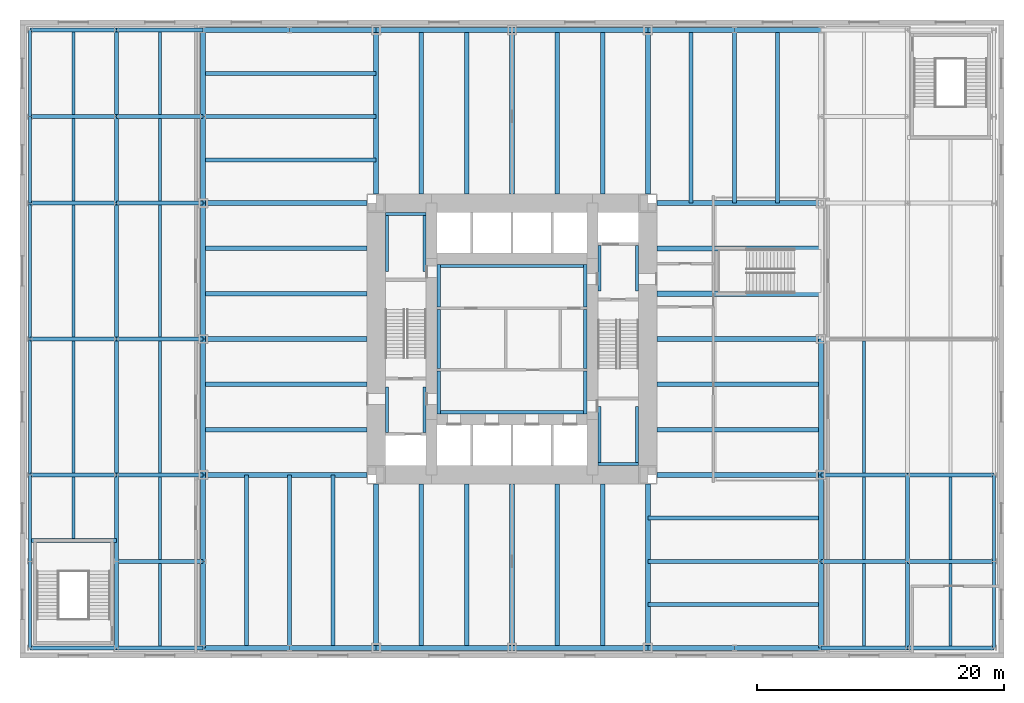
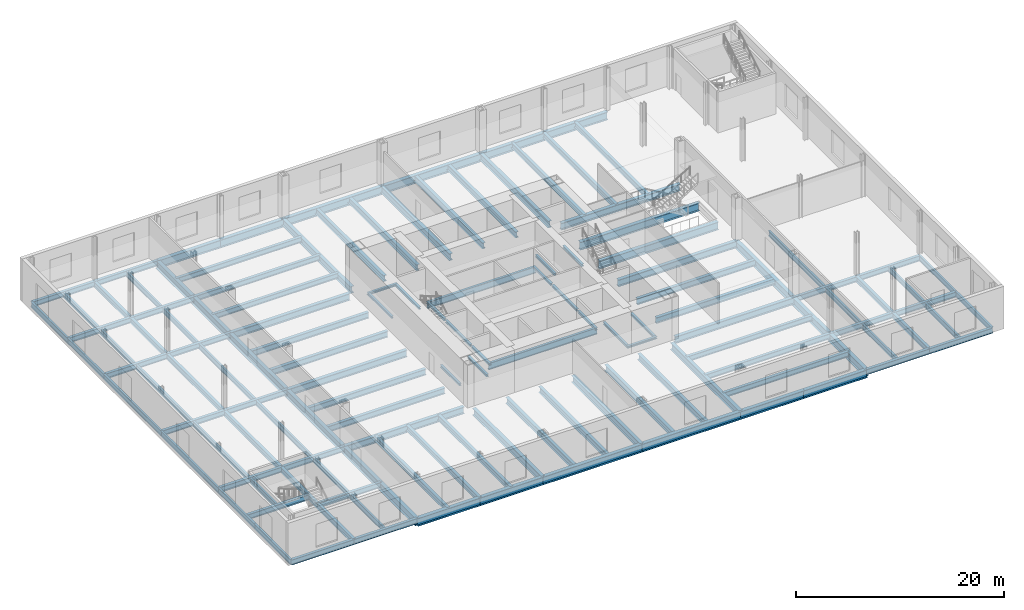
# One storey, part 5 of 13: 131 beams.
"""IFC4 building model written with IfcOpenShell, lengths in metres."""

from ifc_helpers import new_model, si_unit, direction, frame, origin, origin_2d, place, context, subcontext, project, spatial, i_section, extrude, material, material_profile, profile_set, type_object, element, save


model = new_model("IFC4")

# Units and contexts
model_context = context("Model", 3, precision=1e-05, world=origin(), true_north=direction((0.0, 1.0)))
body_context = subcontext(model_context, "Body", "Model", "MODEL_VIEW")
ifc_project = project(units=[si_unit("LENGTHUNIT", "METRE"), si_unit("AREAUNIT", "SQUARE_METRE"), si_unit("VOLUMEUNIT", "CUBIC_METRE"), si_unit("PLANEANGLEUNIT", "RADIAN"), si_unit("MASSUNIT", "GRAM", prefix="KILO")], contexts=[model_context])

# Site, building, storey
site_placement = place(None, origin())
site = spatial("IfcSite", under=ifc_project, at=site_placement, CompositionType="ELEMENT")
building_placement = place(site_placement, origin())
building = spatial("IfcBuilding", under=site, at=building_placement, Name="Trevanion Tower", CompositionType="ELEMENT")
storey_placement = place(building_placement, frame((0.0, 0.0, 6.0)))
storey = spatial("IfcBuildingStorey", under=building, at=storey_placement, Name="L01", CompositionType="ELEMENT", Elevation=6.0)

# Beams
ifc_material_1 = material(Name="Steel ASTM A992 Grade 50", Category="steel")
ifc_material_profile_1 = material_profile(ifc_material_1, i_section(OverallWidth=0.355712890625, OverallDepth=0.700927734375, WebThickness=0.016845703125, FlangeThickness=0.02734375, at=origin_2d()), Name="W27X161")
ifc_profile_set_1 = profile_set([ifc_material_profile_1], Name="Steel ASTM A992 Grade 50")
beam_type_1 = type_object("IfcBeamType", Name="B1 W27X161", PredefinedType="BEAM", material=ifc_profile_set_1)
for number, where, z_axis, x_axis, name in (
    (1, (11.75, -7.333251953125, -0.54052734375), (1.0, 0.0, 0.0), (0.0, 1.0, 0.0), "B1 L01"),
    (2, (11.75, -3.666748046875, -0.54052734375), (1.0, 0.0, 0.0), (0.0, 1.0, 0.0), "B1 L01"),
    (3, (7.333251953125, 11.75, -0.54052734375), (0.0, 1.0, 0.0), (-1.0, 0.0, 0.0), "B1 L01"),
    (4, (3.666748046875, 11.75, -0.54052734375), (0.0, 1.0, 0.0), (-1.0, 0.0, 0.0), "B1 L01"),
    (5, (-3.666748046875, 11.75, -0.54052734375), (0.0, 1.0, 0.0), (-1.0, 0.0, 0.0), "B1 L01"),
    (6, (-7.333251953125, 11.75, -0.54052734375), (0.0, 1.0, 0.0), (-1.0, 0.0, 0.0), "B1 L01"),
    (7, (-11.75, 7.333251953125, -0.54052734375), (-1.0, 0.0, 0.0), (0.0, -1.0, 0.0), "B1 L01"),
    (8, (-11.75, 3.666748046875, -0.54052734375), (-1.0, 0.0, 0.0), (0.0, -1.0, 0.0), "B1 L01"),
    (9, (-11.75, -3.666748046875, -0.54052734375), (-1.0, 0.0, 0.0), (0.0, -1.0, 0.0), "B1 L01"),
    (10, (-11.75, -7.333251953125, -0.54052734375), (-1.0, 0.0, 0.0), (0.0, -1.0, 0.0), "B1 L01"),
    (11, (-7.333251953125, -11.75, -0.54052734375), (0.0, -1.0, 0.0), (1.0, 0.0, 0.0), "B1 L01"),
    (12, (-3.666748046875, -11.75, -0.54052734375), (0.0, -1.0, 0.0), (1.0, 0.0, 0.0), "B1 L01"),
    (13, (3.666748046875, -11.75, -0.54052734375), (0.0, -1.0, 0.0), (1.0, 0.0, 0.0), "B1 L01"),
    (14, (7.333251953125, -11.75, -0.54052734375), (0.0, -1.0, 0.0), (1.0, 0.0, 0.0), "B1 L01"),
):
    element("IfcBeam", number, at=place(storey_placement, frame(where, z_axis=z_axis, x_axis=x_axis)), inside=storey, type_object=beam_type_1, Name=name, PredefinedType="BEAM", context=body_context, shape_type="SweptSolid", body=[
        extrude(i_section(OverallWidth=0.355712890625, OverallDepth=0.700927734375, WebThickness=0.016845703125, FlangeThickness=0.02734375, at=origin_2d()), origin(), (0.0, 0.0, 1.0), 13.25),
    ])
ifc_material_2 = material(Name="Steel ASTM A992 Grade 50", Category="steel")
ifc_material_profile_2 = material_profile(ifc_material_2, i_section(OverallWidth=0.419189453125, OverallDepth=0.927001953125, WebThickness=0.019287109375, FlangeThickness=0.031982421875, at=origin_2d()), Name="W36X231")
ifc_profile_set_2 = profile_set([ifc_material_profile_2], Name="Steel ASTM A992 Grade 50")
beam_type_2 = type_object("IfcBeamType", Name="B17 W36X231", PredefinedType="BEAM", material=ifc_profile_set_2)
for number, where, z_axis, x_axis, name in (
    (15, (11.75, 3.666748046875, -0.653564453125), (1.0, 0.0, 0.0), (0.0, 1.0, 0.0), "B17 L01"),
    (16, (11.75, 7.333251953125, -0.653564453125), (1.0, 0.0, 0.0), (0.0, 1.0, 0.0), "B17 L01"),
):
    element("IfcBeam", number, at=place(storey_placement, frame(where, z_axis=z_axis, x_axis=x_axis)), inside=storey, type_object=beam_type_2, Name=name, PredefinedType="BEAM", context=body_context, shape_type="SweptSolid", body=[
        extrude(i_section(OverallWidth=0.419189453125, OverallDepth=0.927001953125, WebThickness=0.019287109375, FlangeThickness=0.031982421875, at=origin_2d()), origin(), (0.0, 0.0, 1.0), 13.25),
    ])
ifc_material_3 = material(Name="Steel ASTM A992 Grade 50", Category="steel")
ifc_material_profile_3 = material_profile(ifc_material_3, i_section(OverallWidth=0.32763671875, OverallDepth=0.62744140625, WebThickness=0.0166015625, FlangeThickness=0.027587890625, at=origin_2d()), Name="W24X146")
ifc_profile_set_3 = profile_set([ifc_material_profile_3], Name="Steel ASTM A992 Grade 50")
beam_type_3 = type_object("IfcBeamType", Name="B2 W24X146", PredefinedType="BEAM", material=ifc_profile_set_3)
for number, where, z_axis, x_axis, name in (
    (17, (14.5, 11.0, -0.503662109375), (0.0, 1.0, 0.0), (-1.0, 0.0, 0.0), "B2 L01"),
    (18, (18.0, 11.0, -0.503662109375), (0.0, 1.0, 0.0), (-1.0, 0.0, 0.0), "B2 L01"),
    (19, (21.5, 11.0, -0.503662109375), (0.0, 1.0, 0.0), (-1.0, 0.0, 0.0), "B2 L01"),
    (20, (-11.0, 14.5, -0.503662109375), (-1.0, 0.0, 0.0), (0.0, -1.0, 0.0), "B2 L01"),
    (21, (-11.0, 18.0, -0.503662109375), (-1.0, 0.0, 0.0), (0.0, -1.0, 0.0), "B2 L01"),
    (22, (-11.0, 21.5, -0.503662109375), (-1.0, 0.0, 0.0), (0.0, -1.0, 0.0), "B2 L01"),
    (23, (-14.5, -11.0, -0.503662109375), (0.0, -1.0, 0.0), (1.0, 0.0, 0.0), "B2 L01"),
    (24, (-18.0, -11.0, -0.503662109375), (0.0, -1.0, 0.0), (1.0, 0.0, 0.0), "B2 L01"),
    (25, (-21.5, -11.0, -0.503662109375), (0.0, -1.0, 0.0), (1.0, 0.0, 0.0), "B2 L01"),
    (26, (11.0, -14.5, -0.503662109375), (1.0, 0.0, 0.0), (0.0, 1.0, 0.0), "B2 L01"),
    (27, (11.0, -18.0, -0.503662109375), (1.0, 0.0, 0.0), (0.0, 1.0, 0.0), "B2 L01"),
    (28, (11.0, -21.5, -0.503662109375), (1.0, 0.0, 0.0), (0.0, 1.0, 0.0), "B2 L01"),
):
    element("IfcBeam", number, at=place(storey_placement, frame(where, z_axis=z_axis, x_axis=x_axis)), inside=storey, type_object=beam_type_3, Name=name, PredefinedType="BEAM", context=body_context, shape_type="SweptSolid", body=[
        extrude(i_section(OverallWidth=0.32763671875, OverallDepth=0.62744140625, WebThickness=0.0166015625, FlangeThickness=0.027587890625, at=origin_2d()), origin(), (0.0, 0.0, 1.0), 14.0),
    ])
ifc_material_4 = material(Name="Steel ASTM A992 Grade 50", Category="steel")
ifc_material_profile_4 = material_profile(ifc_material_4, i_section(OverallWidth=0.385986328125, OverallDepth=0.802734375, WebThickness=0.023681640625, FlangeThickness=0.0419921875, at=origin_2d()), Name="W30X261")
ifc_profile_set_4 = profile_set([ifc_material_profile_4], Name="Steel ASTM A992 Grade 50")
beam_type_4 = type_object("IfcBeamType", Name="G1 W30X261", PredefinedType="BEAM", material=ifc_profile_set_4)
for number, where, z_axis, x_axis, name in (
    (29, (11.75, -11.0, -0.59130859375), (1.0, 0.0, 0.0), (0.0, 1.0, 0.0), "G1 L01"),
    (30, (11.75, 0.0, -0.59130859375), (1.0, 0.0, 0.0), (0.0, 1.0, 0.0), "G1 L01"),
    (31, (11.75, 11.0, -0.59130859375), (1.0, 0.0, 0.0), (0.0, 1.0, 0.0), "G1 L01"),
    (32, (11.0, 11.75, -0.59130859375), (0.0, 1.0, 0.0), (-1.0, 0.0, 0.0), "G1 L01"),
    (33, (0.0, 11.75, -0.59130859375), (0.0, 1.0, 0.0), (-1.0, 0.0, 0.0), "G1 L01"),
    (34, (-11.0, 11.75, -0.59130859375), (0.0, 1.0, 0.0), (-1.0, 0.0, 0.0), "G1 L01"),
    (35, (-11.75, 11.0, -0.59130859375), (-1.0, 0.0, 0.0), (0.0, -1.0, 0.0), "G1 L01"),
    (36, (-11.75, 0.0, -0.59130859375), (-1.0, 0.0, 0.0), (0.0, -1.0, 0.0), "G1 L01"),
    (37, (-11.75, -11.0, -0.59130859375), (-1.0, 0.0, 0.0), (0.0, -1.0, 0.0), "G1 L01"),
    (38, (-11.0, -11.75, -0.59130859375), (0.0, -1.0, 0.0), (1.0, 0.0, 0.0), "G1 L01"),
    (39, (0.0, -11.75, -0.59130859375), (0.0, -1.0, 0.0), (1.0, 0.0, 0.0), "G1 L01"),
    (40, (11.0, -11.75, -0.59130859375), (0.0, -1.0, 0.0), (1.0, 0.0, 0.0), "G1 L01"),
):
    element("IfcBeam", number, at=place(storey_placement, frame(where, z_axis=z_axis, x_axis=x_axis)), inside=storey, type_object=beam_type_4, Name=name, PredefinedType="BEAM", context=body_context, shape_type="SweptSolid", body=[
        extrude(i_section(OverallWidth=0.385986328125, OverallDepth=0.802734375, WebThickness=0.023681640625, FlangeThickness=0.0419921875, at=origin_2d()), origin(), (0.0, 0.0, 1.0), 13.25),
    ])
ifc_material_5 = material(Name="Steel ASTM A992 Grade 50", Category="steel")
ifc_material_profile_5 = material_profile(ifc_material_5, i_section(OverallWidth=0.256591796875, OverallDepth=0.26416015625, WebThickness=0.011962890625, FlangeThickness=0.01953125, at=origin_2d()), Name="W10X68")
ifc_profile_set_5 = profile_set([ifc_material_profile_5], Name="Steel ASTM A992 Grade 50")
beam_type_5 = type_object("IfcBeamType", Name="LB1 W10X68", PredefinedType="BEAM", material=ifc_profile_set_5)
for number, where, z_axis, x_axis, name in (
    (41, (-5.921630859375, 2.60009765625, -0.33203125), (0.0, 1.0, 0.0), (-1.0, 0.0, 0.0), "LB1 L01"),
    (42, (5.921630859375, 2.60009765625, -0.33203125), (0.0, 1.0, 0.0), (-1.0, 0.0, 0.0), "LB1 L01"),
    (43, (-5.921630859375, -6.050048828125, -0.33203125), (0.0, 1.0, 0.0), (-1.0, 0.0, 0.0), "LB1 L01"),
    (44, (5.921630859375, -6.050048828125, -0.33203125), (0.0, 1.0, 0.0), (-1.0, 0.0, 0.0), "LB1 L01"),
):
    element("IfcBeam", number, at=place(storey_placement, frame(where, z_axis=z_axis, x_axis=x_axis)), inside=storey, type_object=beam_type_5, Name=name, PredefinedType="BEAM", context=body_context, shape_type="SweptSolid", body=[
        extrude(i_section(OverallWidth=0.256591796875, OverallDepth=0.26416015625, WebThickness=0.011962890625, FlangeThickness=0.01953125, at=origin_2d()), origin(), (0.0, 0.0, 1.0), 3.449951171875),
    ])
for number, where, z_axis, x_axis, name in (
    (45, (7.078369140625, 3.875, -0.33203125), (0.0, 1.0, 0.0), (-1.0, 0.0, 0.0), "LB1 L01"),
    (46, (10.12158203125, 3.875, -0.33203125), (0.0, 1.0, 0.0), (-1.0, 0.0, 0.0), "LB1 L01"),
    (47, (-10.12158203125, -7.574951171875, -0.33203125), (0.0, 1.0, 0.0), (-1.0, 0.0, 0.0), "LB1 L01"),
    (48, (-7.078369140625, -7.574951171875, -0.33203125), (0.0, 1.0, 0.0), (-1.0, 0.0, 0.0), "LB1 L01"),
):
    element("IfcBeam", number, at=place(storey_placement, frame(where, z_axis=z_axis, x_axis=x_axis)), inside=storey, type_object=beam_type_5, Name=name, PredefinedType="BEAM", context=body_context, shape_type="SweptSolid", body=[
        extrude(i_section(OverallWidth=0.256591796875, OverallDepth=0.26416015625, WebThickness=0.011962890625, FlangeThickness=0.01953125, at=origin_2d()), origin(), (0.0, 0.0, 1.0), 3.699951171875),
    ])
for number, where, z_axis, x_axis, name in (
    (49, (7.078369140625, -10.25, -0.33203125), (0.0, 1.0, 0.0), (-1.0, 0.0, 0.0), "LB1 L01"),
    (50, (10.12158203125, -10.25, -0.33203125), (0.0, 1.0, 0.0), (-1.0, 0.0, 0.0), "LB1 L01"),
):
    element("IfcBeam", number, at=place(storey_placement, frame(where, z_axis=z_axis, x_axis=x_axis)), inside=storey, type_object=beam_type_5, Name=name, PredefinedType="BEAM", context=body_context, shape_type="SweptSolid", body=[
        extrude(i_section(OverallWidth=0.256591796875, OverallDepth=0.26416015625, WebThickness=0.011962890625, FlangeThickness=0.01953125, at=origin_2d()), origin(), (0.0, 0.0, 1.0), 4.77490234375),
    ])
beam_1_placement = place(storey_placement, frame((6.949951171875, -10.12158203125, -0.33203125), z_axis=(1.0, 0.0, 0.0), x_axis=(0.0, 1.0, 0.0)))
element("IfcBeam", 51, at=beam_1_placement, inside=storey, type_object=beam_type_5, Name="LB1 L01", PredefinedType="BEAM", context=body_context, shape_type="SweptSolid", body=[
    extrude(i_section(OverallWidth=0.256591796875, OverallDepth=0.26416015625, WebThickness=0.011962890625, FlangeThickness=0.01953125, at=origin_2d()), origin(), (0.0, 0.0, 1.0), 3.300048828125),
])
for number, where, z_axis, x_axis, name in (
    (52, (-10.12158203125, 5.47509765625, -0.33203125), (0.0, 1.0, 0.0), (-1.0, 0.0, 0.0), "LB1 L01"),
    (53, (-7.078369140625, 5.47509765625, -0.33203125), (0.0, 1.0, 0.0), (-1.0, 0.0, 0.0), "LB1 L01"),
):
    element("IfcBeam", number, at=place(storey_placement, frame(where, z_axis=z_axis, x_axis=x_axis)), inside=storey, type_object=beam_type_5, Name=name, PredefinedType="BEAM", context=body_context, shape_type="SweptSolid", body=[
        extrude(i_section(OverallWidth=0.256591796875, OverallDepth=0.26416015625, WebThickness=0.011962890625, FlangeThickness=0.01953125, at=origin_2d()), origin(), (0.0, 0.0, 1.0), 4.77490234375),
    ])
beam_2_placement = place(storey_placement, frame((-10.25, 10.12158203125, -0.33203125), z_axis=(1.0, 0.0, 0.0), x_axis=(0.0, 1.0, 0.0)))
element("IfcBeam", 54, at=beam_2_placement, inside=storey, type_object=beam_type_5, Name="LB1 L01", PredefinedType="BEAM", context=body_context, shape_type="SweptSolid", body=[
    extrude(i_section(OverallWidth=0.256591796875, OverallDepth=0.26416015625, WebThickness=0.011962890625, FlangeThickness=0.01953125, at=origin_2d()), origin(), (0.0, 0.0, 1.0), 3.300048828125),
])
for number, where, z_axis, x_axis, name in (
    (55, (-5.921630859375, -2.39990234375, -0.33203125), (0.0, 1.0, 0.0), (-1.0, 0.0, 0.0), "LB1 L01"),
    (56, (5.921630859375, -2.39990234375, -0.33203125), (0.0, 1.0, 0.0), (-1.0, 0.0, 0.0), "LB1 L01"),
):
    element("IfcBeam", number, at=place(storey_placement, frame(where, z_axis=z_axis, x_axis=x_axis)), inside=storey, type_object=beam_type_5, Name=name, PredefinedType="BEAM", context=body_context, shape_type="SweptSolid", body=[
        extrude(i_section(OverallWidth=0.256591796875, OverallDepth=0.26416015625, WebThickness=0.011962890625, FlangeThickness=0.01953125, at=origin_2d()), origin(), (0.0, 0.0, 1.0), 4.7998046875),
    ])
ifc_material_6 = material(Name="Steel ASTM A992 Grade 50", Category="steel")
ifc_material_profile_6 = material_profile(ifc_material_6, i_section(OverallWidth=0.2666015625, OverallDepth=0.76953125, WebThickness=0.015625, FlangeThickness=0.025390625, at=origin_2d()), Name="W30X132")
ifc_profile_set_6 = profile_set([ifc_material_profile_6], Name="Steel ASTM A992 Grade 50")
beam_type_6 = type_object("IfcBeamType", Name="LB3 W30X132", PredefinedType="BEAM", material=ifc_profile_set_6)
for number, where, z_axis, x_axis, name in (
    (57, (-6.050048828125, 5.91650390625, -0.584716796875), (1.0, 0.0, 0.0), (0.0, 1.0, 0.0), "LB3 L01"),
    (58, (-6.050048828125, -5.91650390625, -0.584716796875), (1.0, 0.0, 0.0), (0.0, 1.0, 0.0), "LB3 L01"),
):
    element("IfcBeam", number, at=place(storey_placement, frame(where, z_axis=z_axis, x_axis=x_axis)), inside=storey, type_object=beam_type_6, Name=name, PredefinedType="BEAM", context=body_context, shape_type="SweptSolid", body=[
        extrude(i_section(OverallWidth=0.2666015625, OverallDepth=0.76953125, WebThickness=0.015625, FlangeThickness=0.025390625, at=origin_2d()), origin(), (0.0, 0.0, 1.0), 12.10009765625),
    ])
ifc_material_7 = material(Name="Steel ASTM A992 Grade 50", Category="steel")
ifc_material_profile_7 = material_profile(ifc_material_7, i_section(OverallWidth=0.419189453125, OverallDepth=0.927001953125, WebThickness=0.019287109375, FlangeThickness=0.031982421875, at=origin_2d()), Name="W36X231")
ifc_profile_set_7 = profile_set([ifc_material_profile_7], Name="Steel ASTM A992 Grade 50")
beam_type_7 = type_object("IfcBeamType", Name="SB1 W36X231", PredefinedType="SPANDREL", material=ifc_profile_set_7)
for number, where, z_axis, x_axis, name in (
    (59, (25.0, -25.0, -0.653564453125), (0.0, 1.0, 0.0), (-1.0, 0.0, 0.0), "SB1 L01"),
    (60, (25.0, -18.0, -0.653564453125), (0.0, 1.0, 0.0), (-1.0, 0.0, 0.0), "SB1 L01"),
):
    element("IfcBeam", number, at=place(storey_placement, frame(where, z_axis=z_axis, x_axis=x_axis)), inside=storey, type_object=beam_type_7, Name=name, PredefinedType="SPANDREL", context=body_context, shape_type="SweptSolid", body=[
        extrude(i_section(OverallWidth=0.419189453125, OverallDepth=0.927001953125, WebThickness=0.019287109375, FlangeThickness=0.031982421875, at=origin_2d()), origin(), (0.0, 0.0, 1.0), 7.0),
    ])
beam_3_placement = place(storey_placement, frame((25.0, -11.0, -0.653564453125), z_axis=(0.0, 1.0, 0.0), x_axis=(-1.0, 0.0, 0.0)))
element("IfcBeam", 61, at=beam_3_placement, inside=storey, type_object=beam_type_7, Name="SB1 L01", PredefinedType="SPANDREL", context=body_context, shape_type="SweptSolid", body=[
    extrude(i_section(OverallWidth=0.419189453125, OverallDepth=0.927001953125, WebThickness=0.019287109375, FlangeThickness=0.031982421875, at=origin_2d()), origin(), (0.0, 0.0, 1.0), 11.0),
])
for number, where, z_axis, x_axis, name in (
    (62, (25.0, 25.0, -0.653564453125), (-1.0, 0.0, 0.0), (0.0, -1.0, 0.0), "SB1 L01"),
    (63, (18.0, 25.0, -0.653564453125), (-1.0, 0.0, 0.0), (0.0, -1.0, 0.0), "SB1 L01"),
):
    element("IfcBeam", number, at=place(storey_placement, frame(where, z_axis=z_axis, x_axis=x_axis)), inside=storey, type_object=beam_type_7, Name=name, PredefinedType="SPANDREL", context=body_context, shape_type="SweptSolid", body=[
        extrude(i_section(OverallWidth=0.419189453125, OverallDepth=0.927001953125, WebThickness=0.019287109375, FlangeThickness=0.031982421875, at=origin_2d()), origin(), (0.0, 0.0, 1.0), 7.0),
    ])
for number, where, z_axis, x_axis, name in (
    (64, (11.0, 25.0, -0.653564453125), (-1.0, 0.0, 0.0), (0.0, -1.0, 0.0), "SB1 L01"),
    (65, (0.0, 25.0, -0.653564453125), (-1.0, 0.0, 0.0), (0.0, -1.0, 0.0), "SB1 L01"),
):
    element("IfcBeam", number, at=place(storey_placement, frame(where, z_axis=z_axis, x_axis=x_axis)), inside=storey, type_object=beam_type_7, Name=name, PredefinedType="SPANDREL", context=body_context, shape_type="SweptSolid", body=[
        extrude(i_section(OverallWidth=0.419189453125, OverallDepth=0.927001953125, WebThickness=0.019287109375, FlangeThickness=0.031982421875, at=origin_2d()), origin(), (0.0, 0.0, 1.0), 11.0),
    ])
for number, where, z_axis, x_axis, name in (
    (66, (-11.0, 25.0, -0.653564453125), (-1.0, 0.0, 0.0), (0.0, -1.0, 0.0), "SB1 L01"),
    (67, (-18.0, 25.0, -0.653564453125), (-1.0, 0.0, 0.0), (0.0, -1.0, 0.0), "SB1 L01"),
    (68, (-25.0, 25.0, -0.653564453125), (0.0, -1.0, 0.0), (1.0, 0.0, 0.0), "SB1 L01"),
    (69, (-25.0, 18.0, -0.653564453125), (0.0, -1.0, 0.0), (1.0, 0.0, 0.0), "SB1 L01"),
):
    element("IfcBeam", number, at=place(storey_placement, frame(where, z_axis=z_axis, x_axis=x_axis)), inside=storey, type_object=beam_type_7, Name=name, PredefinedType="SPANDREL", context=body_context, shape_type="SweptSolid", body=[
        extrude(i_section(OverallWidth=0.419189453125, OverallDepth=0.927001953125, WebThickness=0.019287109375, FlangeThickness=0.031982421875, at=origin_2d()), origin(), (0.0, 0.0, 1.0), 7.0),
    ])
for number, where, z_axis, x_axis, name in (
    (70, (-25.0, 11.0, -0.653564453125), (0.0, -1.0, 0.0), (1.0, 0.0, 0.0), "SB1 L01"),
    (71, (-25.0, 0.0, -0.653564453125), (0.0, -1.0, 0.0), (1.0, 0.0, 0.0), "SB1 L01"),
):
    element("IfcBeam", number, at=place(storey_placement, frame(where, z_axis=z_axis, x_axis=x_axis)), inside=storey, type_object=beam_type_7, Name=name, PredefinedType="SPANDREL", context=body_context, shape_type="SweptSolid", body=[
        extrude(i_section(OverallWidth=0.419189453125, OverallDepth=0.927001953125, WebThickness=0.019287109375, FlangeThickness=0.031982421875, at=origin_2d()), origin(), (0.0, 0.0, 1.0), 11.0),
    ])
for number, where, z_axis, x_axis, name in (
    (72, (-25.0, -11.0, -0.653564453125), (0.0, -1.0, 0.0), (1.0, 0.0, 0.0), "SB1 L01"),
    (73, (-25.0, -18.0, -0.653564453125), (0.0, -1.0, 0.0), (1.0, 0.0, 0.0), "SB1 L01"),
    (74, (-25.0, -25.0, -0.653564453125), (1.0, 0.0, 0.0), (0.0, 1.0, 0.0), "SB1 L01"),
    (75, (-18.0, -25.0, -0.653564453125), (1.0, 0.0, 0.0), (0.0, 1.0, 0.0), "SB1 L01"),
):
    element("IfcBeam", number, at=place(storey_placement, frame(where, z_axis=z_axis, x_axis=x_axis)), inside=storey, type_object=beam_type_7, Name=name, PredefinedType="SPANDREL", context=body_context, shape_type="SweptSolid", body=[
        extrude(i_section(OverallWidth=0.419189453125, OverallDepth=0.927001953125, WebThickness=0.019287109375, FlangeThickness=0.031982421875, at=origin_2d()), origin(), (0.0, 0.0, 1.0), 7.0),
    ])
for number, where, z_axis, x_axis, name in (
    (76, (-11.0, -25.0, -0.653564453125), (1.0, 0.0, 0.0), (0.0, 1.0, 0.0), "SB1 L01"),
    (77, (0.0, -25.0, -0.653564453125), (1.0, 0.0, 0.0), (0.0, 1.0, 0.0), "SB1 L01"),
):
    element("IfcBeam", number, at=place(storey_placement, frame(where, z_axis=z_axis, x_axis=x_axis)), inside=storey, type_object=beam_type_7, Name=name, PredefinedType="SPANDREL", context=body_context, shape_type="SweptSolid", body=[
        extrude(i_section(OverallWidth=0.419189453125, OverallDepth=0.927001953125, WebThickness=0.019287109375, FlangeThickness=0.031982421875, at=origin_2d()), origin(), (0.0, 0.0, 1.0), 11.0),
    ])
for number, where, z_axis, x_axis, name in (
    (78, (11.0, -25.0, -0.653564453125), (1.0, 0.0, 0.0), (0.0, 1.0, 0.0), "SB1 L01"),
    (79, (18.0, -25.0, -0.653564453125), (1.0, 0.0, 0.0), (0.0, 1.0, 0.0), "SB1 L01"),
):
    element("IfcBeam", number, at=place(storey_placement, frame(where, z_axis=z_axis, x_axis=x_axis)), inside=storey, type_object=beam_type_7, Name=name, PredefinedType="SPANDREL", context=body_context, shape_type="SweptSolid", body=[
        extrude(i_section(OverallWidth=0.419189453125, OverallDepth=0.927001953125, WebThickness=0.019287109375, FlangeThickness=0.031982421875, at=origin_2d()), origin(), (0.0, 0.0, 1.0), 7.0),
    ])
ifc_material_8 = material(Name="Steel ASTM A992 Grade 50", Category="steel")
ifc_material_profile_8 = material_profile(ifc_material_8, i_section(OverallWidth=0.228271484375, OverallDepth=0.607177734375, WebThickness=0.01123046875, FlangeThickness=0.017333984375, at=origin_2d()), Name="W24X76")
ifc_profile_set_8 = profile_set([ifc_material_profile_8], Name="Steel ASTM A992 Grade 50")
beam_type_8 = type_object("IfcBeamType", Name="WB1 W24X76", PredefinedType="BEAM", material=ifc_profile_set_8)
for number, where, z_axis, x_axis, name in (
    (80, (28.5, -24.83740234375, -0.493408203125), (0.0, 1.0, 0.0), (-1.0, 0.0, 0.0), "WB1 L01"),
    (81, (28.5, -17.83740234375, -0.493408203125), (0.0, 1.0, 0.0), (-1.0, 0.0, 0.0), "WB1 L01"),
):
    element("IfcBeam", number, at=place(storey_placement, frame(where, z_axis=z_axis, x_axis=x_axis)), inside=storey, type_object=beam_type_8, Name=name, PredefinedType="BEAM", context=body_context, shape_type="SweptSolid", body=[
        extrude(i_section(OverallWidth=0.228271484375, OverallDepth=0.607177734375, WebThickness=0.01123046875, FlangeThickness=0.017333984375, at=origin_2d()), origin(), (0.0, 0.0, 1.0), 6.6748046875),
    ])
beam_4_placement = place(storey_placement, frame((28.5, -10.83740234375, -0.493408203125), z_axis=(0.0, 1.0, 0.0), x_axis=(-1.0, 0.0, 0.0)))
element("IfcBeam", 82, at=beam_4_placement, inside=storey, type_object=beam_type_8, Name="WB1 L01", PredefinedType="BEAM", context=body_context, shape_type="SweptSolid", body=[
    extrude(i_section(OverallWidth=0.228271484375, OverallDepth=0.607177734375, WebThickness=0.01123046875, FlangeThickness=0.017333984375, at=origin_2d()), origin(), (0.0, 0.0, 1.0), 10.6748046875),
])
for number, where, z_axis, x_axis, name in (
    (83, (35.5, -24.83740234375, -0.493408203125), (0.0, 1.0, 0.0), (-1.0, 0.0, 0.0), "WB1 L01"),
    (84, (35.5, -17.83740234375, -0.493408203125), (0.0, 1.0, 0.0), (-1.0, 0.0, 0.0), "WB1 L01"),
    (85, (-28.5, 24.83740234375, -0.493408203125), (0.0, -1.0, 0.0), (1.0, 0.0, 0.0), "WB1 L01"),
    (86, (-28.5, 17.83740234375, -0.493408203125), (0.0, -1.0, 0.0), (1.0, 0.0, 0.0), "WB1 L01"),
):
    element("IfcBeam", number, at=place(storey_placement, frame(where, z_axis=z_axis, x_axis=x_axis)), inside=storey, type_object=beam_type_8, Name=name, PredefinedType="BEAM", context=body_context, shape_type="SweptSolid", body=[
        extrude(i_section(OverallWidth=0.228271484375, OverallDepth=0.607177734375, WebThickness=0.01123046875, FlangeThickness=0.017333984375, at=origin_2d()), origin(), (0.0, 0.0, 1.0), 6.6748046875),
    ])
for number, where, z_axis, x_axis, name in (
    (87, (-28.5, 10.83740234375, -0.493408203125), (0.0, -1.0, 0.0), (1.0, 0.0, 0.0), "WB1 L01"),
    (88, (-28.5, -0.16259765625, -0.493408203125), (0.0, -1.0, 0.0), (1.0, 0.0, 0.0), "WB1 L01"),
):
    element("IfcBeam", number, at=place(storey_placement, frame(where, z_axis=z_axis, x_axis=x_axis)), inside=storey, type_object=beam_type_8, Name=name, PredefinedType="BEAM", context=body_context, shape_type="SweptSolid", body=[
        extrude(i_section(OverallWidth=0.228271484375, OverallDepth=0.607177734375, WebThickness=0.01123046875, FlangeThickness=0.017333984375, at=origin_2d()), origin(), (0.0, 0.0, 1.0), 10.6748046875),
    ])
for number, where, z_axis, x_axis, name in (
    (89, (-28.5, -11.16259765625, -0.493408203125), (0.0, -1.0, 0.0), (1.0, 0.0, 0.0), "WB1 L01"),
    (90, (-28.5, -18.16259765625, -0.493408203125), (0.0, -1.0, 0.0), (1.0, 0.0, 0.0), "WB1 L01"),
    (91, (-35.5, 24.83740234375, -0.493408203125), (0.0, -1.0, 0.0), (1.0, 0.0, 0.0), "WB1 L01"),
    (92, (-35.5, 17.83740234375, -0.493408203125), (0.0, -1.0, 0.0), (1.0, 0.0, 0.0), "WB1 L01"),
):
    element("IfcBeam", number, at=place(storey_placement, frame(where, z_axis=z_axis, x_axis=x_axis)), inside=storey, type_object=beam_type_8, Name=name, PredefinedType="BEAM", context=body_context, shape_type="SweptSolid", body=[
        extrude(i_section(OverallWidth=0.228271484375, OverallDepth=0.607177734375, WebThickness=0.01123046875, FlangeThickness=0.017333984375, at=origin_2d()), origin(), (0.0, 0.0, 1.0), 6.6748046875),
    ])
for number, where, z_axis, x_axis, name in (
    (93, (-35.5, 10.83740234375, -0.493408203125), (0.0, -1.0, 0.0), (1.0, 0.0, 0.0), "WB1 L01"),
    (94, (-35.5, -0.16259765625, -0.493408203125), (0.0, -1.0, 0.0), (1.0, 0.0, 0.0), "WB1 L01"),
):
    element("IfcBeam", number, at=place(storey_placement, frame(where, z_axis=z_axis, x_axis=x_axis)), inside=storey, type_object=beam_type_8, Name=name, PredefinedType="BEAM", context=body_context, shape_type="SweptSolid", body=[
        extrude(i_section(OverallWidth=0.228271484375, OverallDepth=0.607177734375, WebThickness=0.01123046875, FlangeThickness=0.017333984375, at=origin_2d()), origin(), (0.0, 0.0, 1.0), 10.6748046875),
    ])
beam_5_placement = place(storey_placement, frame((-35.5, -11.16259765625, -0.493408203125), z_axis=(0.0, -1.0, 0.0), x_axis=(1.0, 0.0, 0.0)))
element("IfcBeam", 95, at=beam_5_placement, inside=storey, type_object=beam_type_8, Name="WB1 L01", PredefinedType="BEAM", context=body_context, shape_type="SweptSolid", body=[
    extrude(i_section(OverallWidth=0.228271484375, OverallDepth=0.607177734375, WebThickness=0.01123046875, FlangeThickness=0.017333984375, at=origin_2d()), origin(), (0.0, 0.0, 1.0), 4.98974609375),
])
ifc_material_9 = material(Name="Steel ASTM A992 Grade 50", Category="steel")
ifc_material_profile_9 = material_profile(ifc_material_9, i_section(OverallWidth=0.227783203125, OverallDepth=0.60205078125, WebThickness=0.010498046875, FlangeThickness=0.014892578125, at=origin_2d()), Name="W24X68")
ifc_profile_set_9 = profile_set([ifc_material_profile_9], Name="Steel ASTM A992 Grade 50")
beam_type_9 = type_object("IfcBeamType", Name="WE1 W24X68", PredefinedType="SPANDREL", material=ifc_profile_set_9)
for number, where, z_axis, x_axis, name in (
    (96, (39.0, -25.0, -0.490966796875), (0.0, 1.0, 0.0), (-1.0, 0.0, 0.0), "WE1 L01"),
    (97, (39.0, -18.0, -0.490966796875), (0.0, 1.0, 0.0), (-1.0, 0.0, 0.0), "WE1 L01"),
    (98, (-39.0, 25.0, -0.490966796875), (0.0, -1.0, 0.0), (1.0, 0.0, 0.0), "WE1 L01"),
    (99, (-39.0, 18.0, -0.490966796875), (0.0, -1.0, 0.0), (1.0, 0.0, 0.0), "WE1 L01"),
):
    element("IfcBeam", number, at=place(storey_placement, frame(where, z_axis=z_axis, x_axis=x_axis)), inside=storey, type_object=beam_type_9, Name=name, PredefinedType="SPANDREL", context=body_context, shape_type="SweptSolid", body=[
        extrude(i_section(OverallWidth=0.227783203125, OverallDepth=0.60205078125, WebThickness=0.010498046875, FlangeThickness=0.014892578125, at=origin_2d()), origin(), (0.0, 0.0, 1.0), 7.0),
    ])
for number, where, z_axis, x_axis, name in (
    (100, (-39.0, 11.0, -0.490966796875), (0.0, -1.0, 0.0), (1.0, 0.0, 0.0), "WE1 L01"),
    (101, (-39.0, 0.0, -0.490966796875), (0.0, -1.0, 0.0), (1.0, 0.0, 0.0), "WE1 L01"),
):
    element("IfcBeam", number, at=place(storey_placement, frame(where, z_axis=z_axis, x_axis=x_axis)), inside=storey, type_object=beam_type_9, Name=name, PredefinedType="SPANDREL", context=body_context, shape_type="SweptSolid", body=[
        extrude(i_section(OverallWidth=0.227783203125, OverallDepth=0.60205078125, WebThickness=0.010498046875, FlangeThickness=0.014892578125, at=origin_2d()), origin(), (0.0, 0.0, 1.0), 11.0),
    ])
for number, where, z_axis, x_axis, name in (
    (102, (-39.0, -11.0, -0.490966796875), (0.0, -1.0, 0.0), (1.0, 0.0, 0.0), "WE1 L01"),
    (103, (-39.0, -18.0, -0.490966796875), (0.0, -1.0, 0.0), (1.0, 0.0, 0.0), "WE1 L01"),
):
    element("IfcBeam", number, at=place(storey_placement, frame(where, z_axis=z_axis, x_axis=x_axis)), inside=storey, type_object=beam_type_9, Name=name, PredefinedType="SPANDREL", context=body_context, shape_type="SweptSolid", body=[
        extrude(i_section(OverallWidth=0.227783203125, OverallDepth=0.60205078125, WebThickness=0.010498046875, FlangeThickness=0.014892578125, at=origin_2d()), origin(), (0.0, 0.0, 1.0), 7.0),
    ])
ifc_material_10 = material(Name="Steel ASTM A992 Grade 50", Category="steel")
ifc_material_profile_10 = material_profile(ifc_material_10, i_section(OverallWidth=0.3251953125, OverallDepth=0.612060546875, WebThickness=0.0126953125, FlangeThickness=0.01904296875, at=origin_2d()), Name="W24X104")
ifc_profile_set_10 = profile_set([ifc_material_profile_10], Name="Steel ASTM A992 Grade 50")
beam_type_10 = type_object("IfcBeamType", Name="WG1 W24X104", PredefinedType="BEAM", material=ifc_profile_set_10)
for number, where, z_axis, x_axis, name in (
    (104, (25.0, -25.0, -0.49609375), (1.0, 0.0, 0.0), (0.0, 1.0, 0.0), "WG1 L01"),
    (105, (32.0, -25.0, -0.49609375), (1.0, 0.0, 0.0), (0.0, 1.0, 0.0), "WG1 L01"),
    (106, (25.0, -18.0, -0.49609375), (1.0, 0.0, 0.0), (0.0, 1.0, 0.0), "WG1 L01"),
    (107, (32.0, -18.0, -0.49609375), (1.0, 0.0, 0.0), (0.0, 1.0, 0.0), "WG1 L01"),
    (108, (25.0, -11.0, -0.49609375), (1.0, 0.0, 0.0), (0.0, 1.0, 0.0), "WG1 L01"),
    (109, (32.0, -11.0, -0.49609375), (1.0, 0.0, 0.0), (0.0, 1.0, 0.0), "WG1 L01"),
    (110, (32.0, -25.0, -0.49609375), (0.0, 1.0, 0.0), (-1.0, 0.0, 0.0), "WG1 L01"),
    (111, (32.0, -18.0, -0.49609375), (0.0, 1.0, 0.0), (-1.0, 0.0, 0.0), "WG1 L01"),
    (112, (-25.0, 25.0, -0.49609375), (-1.0, 0.0, 0.0), (0.0, -1.0, 0.0), "WG1 L01"),
    (113, (-32.0, 25.0, -0.49609375), (-1.0, 0.0, 0.0), (0.0, -1.0, 0.0), "WG1 L01"),
    (114, (-25.0, 18.0, -0.49609375), (-1.0, 0.0, 0.0), (0.0, -1.0, 0.0), "WG1 L01"),
    (115, (-32.0, 18.0, -0.49609375), (-1.0, 0.0, 0.0), (0.0, -1.0, 0.0), "WG1 L01"),
    (116, (-25.0, 11.0, -0.49609375), (-1.0, 0.0, 0.0), (0.0, -1.0, 0.0), "WG1 L01"),
    (117, (-32.0, 11.0, -0.49609375), (-1.0, 0.0, 0.0), (0.0, -1.0, 0.0), "WG1 L01"),
    (118, (-25.0, 0.0, -0.49609375), (-1.0, 0.0, 0.0), (0.0, -1.0, 0.0), "WG1 L01"),
    (119, (-32.0, 0.0, -0.49609375), (-1.0, 0.0, 0.0), (0.0, -1.0, 0.0), "WG1 L01"),
    (120, (-25.0, -11.0, -0.49609375), (-1.0, 0.0, 0.0), (0.0, -1.0, 0.0), "WG1 L01"),
    (121, (-32.0, -11.0, -0.49609375), (-1.0, 0.0, 0.0), (0.0, -1.0, 0.0), "WG1 L01"),
    (122, (-25.0, -18.0, -0.49609375), (-1.0, 0.0, 0.0), (0.0, -1.0, 0.0), "WG1 L01"),
    (123, (-25.0, -25.0, -0.49609375), (-1.0, 0.0, 0.0), (0.0, -1.0, 0.0), "WG1 L01"),
    (124, (-32.0, -25.0, -0.49609375), (-1.0, 0.0, 0.0), (0.0, -1.0, 0.0), "WG1 L01"),
    (125, (-32.0, -16.31494140625, -0.49609375), (-1.0, 0.0, 0.0), (0.0, -1.0, 0.0), "WG1 L01"),
    (126, (-32.0, 25.0, -0.49609375), (0.0, -1.0, 0.0), (1.0, 0.0, 0.0), "WG1 L01"),
    (127, (-32.0, 18.0, -0.49609375), (0.0, -1.0, 0.0), (1.0, 0.0, 0.0), "WG1 L01"),
):
    element("IfcBeam", number, at=place(storey_placement, frame(where, z_axis=z_axis, x_axis=x_axis)), inside=storey, type_object=beam_type_10, Name=name, PredefinedType="BEAM", context=body_context, shape_type="SweptSolid", body=[
        extrude(i_section(OverallWidth=0.3251953125, OverallDepth=0.612060546875, WebThickness=0.0126953125, FlangeThickness=0.01904296875, at=origin_2d()), origin(), (0.0, 0.0, 1.0), 7.0),
    ])
for number, where, z_axis, x_axis, name in (
    (128, (-32.0, 11.0, -0.49609375), (0.0, -1.0, 0.0), (1.0, 0.0, 0.0), "WG1 L01"),
    (129, (-32.0, 0.0, -0.49609375), (0.0, -1.0, 0.0), (1.0, 0.0, 0.0), "WG1 L01"),
):
    element("IfcBeam", number, at=place(storey_placement, frame(where, z_axis=z_axis, x_axis=x_axis)), inside=storey, type_object=beam_type_10, Name=name, PredefinedType="BEAM", context=body_context, shape_type="SweptSolid", body=[
        extrude(i_section(OverallWidth=0.3251953125, OverallDepth=0.612060546875, WebThickness=0.0126953125, FlangeThickness=0.01904296875, at=origin_2d()), origin(), (0.0, 0.0, 1.0), 11.0),
    ])
for number, where, z_axis, x_axis, name in (
    (130, (-32.0, -11.0, -0.49609375), (0.0, -1.0, 0.0), (1.0, 0.0, 0.0), "WG1 L01"),
    (131, (-32.0, -18.0, -0.49609375), (0.0, -1.0, 0.0), (1.0, 0.0, 0.0), "WG1 L01"),
):
    element("IfcBeam", number, at=place(storey_placement, frame(where, z_axis=z_axis, x_axis=x_axis)), inside=storey, type_object=beam_type_10, Name=name, PredefinedType="BEAM", context=body_context, shape_type="SweptSolid", body=[
        extrude(i_section(OverallWidth=0.3251953125, OverallDepth=0.612060546875, WebThickness=0.0126953125, FlangeThickness=0.01904296875, at=origin_2d()), origin(), (0.0, 0.0, 1.0), 7.0),
    ])

save(model, "model.ifc")
